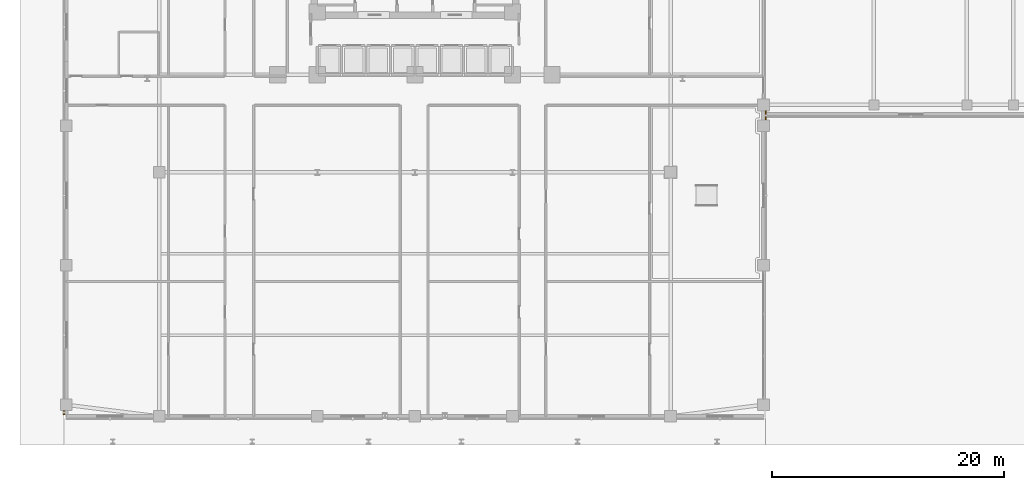
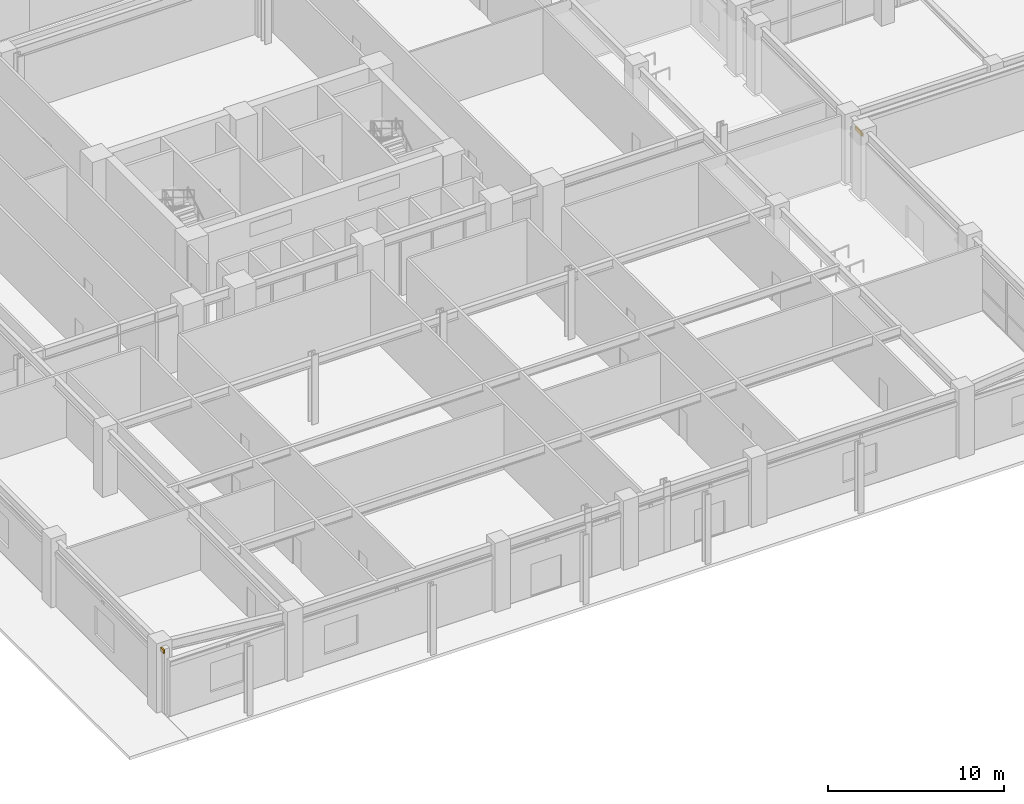
# One storey, part 39 of 40: 2 shading devices.
"""IFC4 building model written with IfcOpenShell, lengths in metres."""

from ifc_helpers import new_model, si_unit, derived_unit, direction, frame, origin, origin_2d, place, context, subcontext, project, spatial, hollow_rectangle, extrude, source, transform, mapped, material, material_profile, profile_set, type_object, element, save


model = new_model("IFC4")

# Units and contexts
model_context = context("Model", 3, precision=1e-05, world=origin(), true_north=direction((0.0, 1.0)))
body_context = subcontext(model_context, "Body", "Model", "MODEL_VIEW")
ifc_project = project(units=[si_unit("LENGTHUNIT", "METRE"), si_unit("AREAUNIT", "SQUARE_METRE"), si_unit("VOLUMEUNIT", "CUBIC_METRE"), si_unit("PLANEANGLEUNIT", "RADIAN"), si_unit("MASSUNIT", "GRAM", prefix="KILO"), derived_unit("THERMALTRANSMITTANCEUNIT", [(si_unit("POWERUNIT", "WATT"), 1), (si_unit("LENGTHUNIT", "METRE"), -2), (si_unit("THERMODYNAMICTEMPERATUREUNIT", "KELVIN"), -1)])], contexts=[model_context])

# Site, building, storey
site_placement = place(None, origin())
site = spatial("IfcSite", under=ifc_project, at=site_placement, CompositionType="ELEMENT")
building_placement = place(site_placement, origin())
building = spatial("IfcBuilding", under=site, at=building_placement, Name="Korsvarv Bourse and Concert Hall", CompositionType="ELEMENT")
storey_placement = place(building_placement, origin())
storey = spatial("IfcBuildingStorey", under=building, at=storey_placement, Name="L00", CompositionType="ELEMENT", Elevation=0.0)

# Shading devices
ifc_material = material(Name="Glazed extruded architectural terracotta", Category="ceramic")
ifc_material_profile = material_profile(ifc_material, hollow_rectangle(XDim=0.090087890625, YDim=0.260009765625, WallThickness=0.011962890625, at=origin_2d()), Name="TC-BAG 90x260")
ifc_profile_set = profile_set([ifc_material_profile], Name="Glazed extruded architectural terracotta")
shading_device_type = type_object("IfcShadingDeviceType", Name="SHD-BAG-1", PredefinedType="USERDEFINED", material=ifc_profile_set)
shared_shape_1 = source(origin(), body_context, "Body", "SweptSolid", [
    extrude(hollow_rectangle(XDim=0.090087890625, YDim=0.260009765625, WallThickness=0.011962890625, at=origin_2d()), origin(), (0.0, 0.0, 1.0), 0.335205078125),
])
shading_device_1_placement = place(storey_placement, frame((5.804931640625, 3.159912109375, 4.360107421875), z_axis=(0.0, 1.0, 0.0), x_axis=(-1.0, 0.0, 0.0)))
element("IfcShadingDevice", 1, at=shading_device_1_placement, inside=storey, type_object=shading_device_type, Name="L00 terracotta baguette sunshade EW-L00-W1-1", ObjectType="BAGUETTE", PredefinedType="USERDEFINED", context=body_context, shape_type="MappedRepresentation", body=[
    mapped(shared_shape_1, transform((0.0, 0.0, 0.0), scale=1.0)),
])
shared_shape_2 = source(origin(), body_context, "Body", "SweptSolid", [
    extrude(hollow_rectangle(XDim=0.090087890625, YDim=0.260009765625, WallThickness=0.011962890625, at=origin_2d()), origin(), (0.0, 0.0, 1.0), 0.7900390625),
])
shading_device_2_placement = place(storey_placement, frame((66.195068359375, 28.5048828125, 3.659912109375), z_axis=(0.0, 1.0, 0.0), x_axis=(-1.0, 0.0, 0.0)))
element("IfcShadingDevice", 2, at=shading_device_2_placement, inside=storey, type_object=shading_device_type, Name="L00 terracotta baguette sunshade EW-L00-E2-2", ObjectType="BAGUETTE", PredefinedType="USERDEFINED", context=body_context, shape_type="MappedRepresentation", body=[
    mapped(shared_shape_2, transform((0.0, 0.0, 0.0), scale=1.0)),
])

save(model, "model.ifc")
